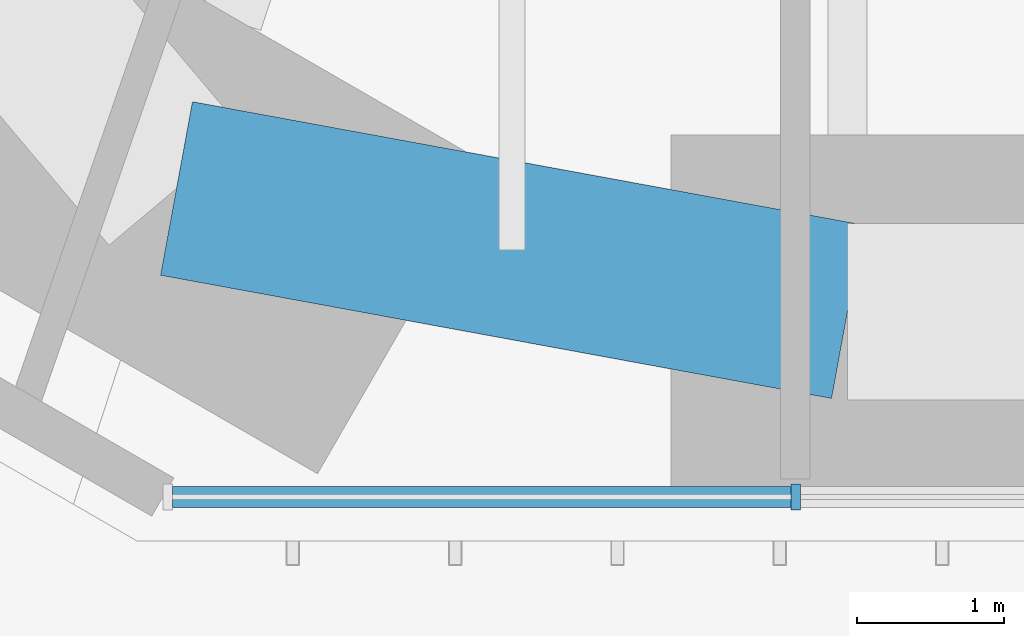
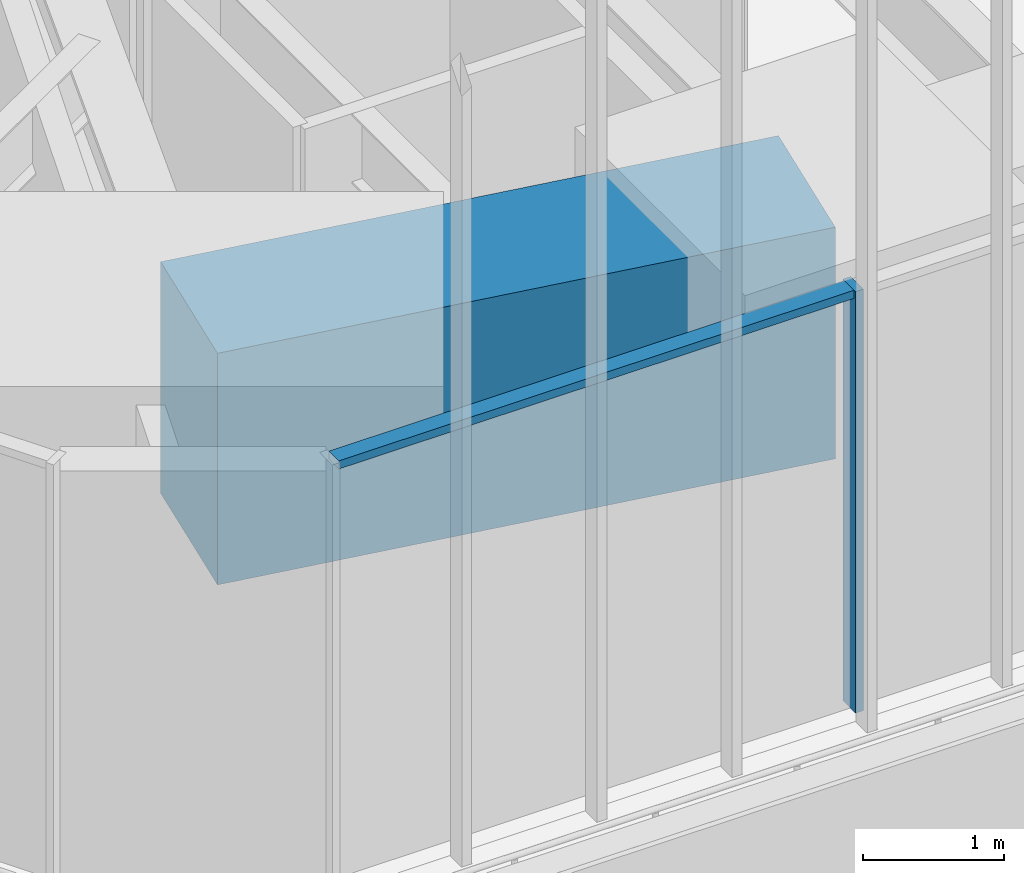
# One storey, part 23 of 238: 2 members, 1 beam, 1 element without a shape of its own.
"""IFC4 building model written with IfcOpenShell, lengths in metres."""

import ifcopenshell
import ifcopenshell.guid

model = None  # the IFC model being written
_history = None  # IfcOwnerHistory: only IFC2X3 demands one
_inside = {}  # id of a spatial element -> (the spatial element, [elements in it])
_under = {}  # id of a project, library or spatial element -> (it, [spatial elements below it])
_declared = {}  # id of a project -> (the project, [libraries it declares])
_typed = {}  # id of a type object -> (the type object, [elements of that type])
_made_of = {}  # id of a material, layer set ... -> (it, [elements and type objects made of it])


def new_model(schema):
    """Start an empty IFC model of exactly this schema.

    Asked for "IFC4X3", IfcOpenShell would pick the latest addendum, in which some entities
    have other attributes; the version numbers below select the first issue.
    IFC2X3 requires an IfcOwnerHistory on every rooted entity: one is made here for all.
    """
    global model, _history
    if schema == "IFC4X3":
        model = ifcopenshell.file(schema_version=(4, 3, 0, 0))
    else:
        model = ifcopenshell.file(schema=schema)
    _inside.clear()
    _under.clear()
    _declared.clear()
    _typed.clear()
    _made_of.clear()
    _history = None
    if model.schema == "IFC2X3":
        org = make("IfcOrganization", Name="unknown")
        user = make(
            "IfcPersonAndOrganization",
            ThePerson=make("IfcPerson", FamilyName="unknown"),
            TheOrganization=org,
        )
        app = make(
            "IfcApplication",
            ApplicationDeveloper=org,
            Version="unknown",
            ApplicationFullName="unknown",
            ApplicationIdentifier="unknown",
        )
        _history = make(
            "IfcOwnerHistory",
            OwningUser=user,
            OwningApplication=app,
            ChangeAction="ADDED",
            CreationDate=0,
        )
    return model


def make(cls, **values):
    """One entity of the class cls with the attributes given. An attribute that is None is left unset."""
    return model.create_entity(
        cls, **{name: value for name, value in values.items() if value is not None}
    )


def rooted(cls, **values):
    """An entity with a GlobalId (a new one), such as an element, a storey or a relation."""
    return make(cls, GlobalId=ifcopenshell.guid.new(), OwnerHistory=_history, **values)


def si_unit(unit_type, name, prefix=None):
    """IfcSIUnit, for example si_unit("LENGTHUNIT", "METRE", prefix="MILLI")."""
    return make("IfcSIUnit", UnitType=unit_type, Prefix=prefix, Name=name)


def assignment(units):
    """IfcUnitAssignment: the units of a project."""
    return None if units is None else make("IfcUnitAssignment", Units=units)


def point(xyz):
    """IfcCartesianPoint."""
    return None if xyz is None else make("IfcCartesianPoint", Coordinates=xyz)


def direction(xyz):
    """IfcDirection."""
    return None if xyz is None else make("IfcDirection", DirectionRatios=xyz)


def frame(location, z_axis=None, x_axis=None):
    """IfcAxis2Placement3D, a coordinate frame: its origin and axes. An axis left out is left unset."""
    return make(
        "IfcAxis2Placement3D",
        Location=point(location),
        Axis=direction(z_axis),
        RefDirection=direction(x_axis),
    )


def frame_2d(location, x_axis=None):
    """IfcAxis2Placement2D, a coordinate frame in the plane: its origin and x axis."""
    return make(
        "IfcAxis2Placement2D", Location=point(location), RefDirection=direction(x_axis)
    )


def origin():
    """The frame at (0, 0, 0) with its axes left unset."""
    return frame((0.0, 0.0, 0.0))


def origin_2d():
    """The frame at (0, 0) in the plane with its x axis left unset."""
    return frame_2d((0.0, 0.0))


def place(relative_to, where):
    """IfcLocalPlacement: puts the frame where relative to a parent placement (None: the world)."""
    return make(
        "IfcLocalPlacement", PlacementRelTo=relative_to, RelativePlacement=where
    )


def context(
    kind, dimensions, precision=None, world=None, true_north=None, identifier=None
):
    """IfcGeometricRepresentationContext, for example the 3D "Model" context."""
    return make(
        "IfcGeometricRepresentationContext",
        ContextIdentifier=identifier,
        ContextType=kind,
        CoordinateSpaceDimension=dimensions,
        Precision=precision,
        WorldCoordinateSystem=world,
        TrueNorth=true_north,
    )


def subcontext(parent, identifier, kind, view, scale=None):
    """IfcGeometricRepresentationSubContext, for example "Body" below "Model"."""
    return make(
        "IfcGeometricRepresentationSubContext",
        ContextIdentifier=identifier,
        ContextType=kind,
        ParentContext=parent,
        TargetScale=scale,
        TargetView=view,
    )


def project(units=None, contexts=None):
    """IfcProject with its units and contexts."""
    return rooted(
        "IfcProject",
        Name="project",
        RepresentationContexts=contexts,
        UnitsInContext=assignment(units),
    )


def spatial(cls, under=None, at=None, **own):
    """A site, building, storey or space (cls), placed at a placement, below another one or the project."""
    s = rooted(cls, ObjectPlacement=at, **own)
    if under is not None:
        _under.setdefault(under.id(), (under, []))[1].append(s)
    return s


def profile(cls, at=None, kind="AREA", **sizes):
    """A parametric profile (cls). Its sizes go by their IFC names, for example OverallWidth=200.0."""
    return make(cls, ProfileType=kind, Position=at, **sizes)


def rectangle(**sizes):
    """IfcRectangleProfileDef."""
    return profile("IfcRectangleProfileDef", **sizes)


def extrude(swept, where, along, depth):
    """IfcExtrudedAreaSolid: the profile swept, set in the frame where, extruded along a direction by depth."""
    return make(
        "IfcExtrudedAreaSolid",
        SweptArea=swept,
        Position=where,
        ExtrudedDirection=direction(along),
        Depth=depth,
    )


def shape(context_of_items, identifier, shape_type, items):
    """IfcShapeRepresentation: the items that make up one representation, for example the "Body"."""
    return make(
        "IfcShapeRepresentation",
        ContextOfItems=context_of_items,
        RepresentationIdentifier=identifier,
        RepresentationType=shape_type,
        Items=items,
    )


def material(Name=None, Category=None):
    """IfcMaterial."""
    return make("IfcMaterial", Name=Name, Category=Category)


def material_profile(
    of_material, cross_section, Name=None, Category=None, Priority=None
):
    """IfcMaterialProfile: a cross section and its material."""
    return make(
        "IfcMaterialProfile",
        Name=Name,
        Material=of_material,
        Profile=cross_section,
        Priority=Priority,
        Category=Category,
    )


def profile_set(profiles, Name=None, composite=None):
    """IfcMaterialProfileSet."""
    return make(
        "IfcMaterialProfileSet",
        Name=Name,
        MaterialProfiles=profiles,
        CompositeProfile=composite,
    )


def made_of(thing, what):
    """Note that an element or type object is made of a material, layer set ...; save() writes the relation."""
    if what is not None:
        _made_of.setdefault(what.id(), (what, []))[1].append(thing)
    return thing


def type_object(cls, material=None, **own):
    """A type object (cls), such as IfcWallType, which elements share."""
    return made_of(rooted(cls, **own), material)


def element(
    cls,
    number,
    at=None,
    inside=None,
    cuts=None,
    type_object=None,
    material=None,
    context=None,
    identifier="Body",
    shape_type=None,
    held_by="IfcProductDefinitionShape",
    body=None,
    shapes=None,
    **own,
):
    """One element of the class cls, such as IfcWall. Its Tag is "e" and its number.

    at: its placement. inside: the storey or other place that contains it. cuts: it is an
    opening in that element (IfcRelVoidsElement). A single representation is given by context,
    identifier, shape_type and body (its items); several are given by shapes. held_by: the class
    of the entity that holds the representations. save() writes the other relations.
    """
    e = rooted(cls, Tag="e%d" % number, ObjectPlacement=at, **own)
    if body is not None:
        shapes = [shape(context, identifier, shape_type, body)]
    if shapes is not None:
        e.Representation = make(held_by, Representations=shapes)
    if inside is not None:
        _inside.setdefault(inside.id(), (inside, []))[1].append(e)
    if cuts is not None:
        rooted(
            "IfcRelVoidsElement", RelatingBuildingElement=cuts, RelatedOpeningElement=e
        )
    if type_object is not None:
        _typed.setdefault(type_object.id(), (type_object, []))[1].append(e)
    return made_of(e, material)


def aggregate(whole, parts):
    """IfcRelAggregates: a whole, such as a stair, and the parts it consists of."""
    return rooted("IfcRelAggregates", RelatingObject=whole, RelatedObjects=parts)


def save(model, path):
    """Write the relations noted so far, then the file.

    IfcRelAggregates (storeys below a building ...), IfcRelContainedInSpatialStructure (elements
    in a storey), IfcRelDefinesByType, IfcRelAssociatesMaterial and IfcRelDeclares: one each for
    every whole, place, type object, material and project.
    """
    for whole, parts in _under.values():
        aggregate(whole, parts)
    for where, things in _inside.values():
        rooted(
            "IfcRelContainedInSpatialStructure",
            RelatedElements=things,
            RelatingStructure=where,
        )
    for kind, things in _typed.values():
        rooted("IfcRelDefinesByType", RelatedObjects=things, RelatingType=kind)
    for what, things in _made_of.values():
        rooted("IfcRelAssociatesMaterial", RelatedObjects=things, RelatingMaterial=what)
    for by, libraries in _declared.values():
        rooted("IfcRelDeclares", RelatingContext=by, RelatedDefinitions=libraries)
    model.write(path)


model = new_model("IFC4")

# Units and contexts
model_context = context("Model", 3, precision=1e-05, world=origin(), true_north=direction((0.0, 1.0)))
body_context = subcontext(model_context, "Body", "Model", "MODEL_VIEW")
ifc_project = project(units=[si_unit("LENGTHUNIT", "METRE"), si_unit("AREAUNIT", "SQUARE_METRE"), si_unit("VOLUMEUNIT", "CUBIC_METRE"), si_unit("PLANEANGLEUNIT", "RADIAN"), si_unit("MASSUNIT", "GRAM", prefix="KILO")], contexts=[model_context])

# Site, building, storey
site_placement = place(None, origin())
site = spatial("IfcSite", under=ifc_project, at=site_placement, CompositionType="ELEMENT")
building_placement = place(site_placement, origin())
building = spatial("IfcBuilding", under=site, at=building_placement, Name="Sandreach Pilgrim Tower", CompositionType="ELEMENT")
storey_placement = place(building_placement, frame((0.0, 0.0, 96.800048828125)))
storey = spatial("IfcBuildingStorey", under=building, at=storey_placement, Name="L23", CompositionType="ELEMENT", Elevation=96.800048828125)

# Curtain wall, members
ifc_material_1 = material(Name="Aluminium framed curtain wall", Category="aluminium")
curtain_wall_type = type_object("IfcCurtainWallType", Name="Hotel tower curtain wall", PredefinedType="NOTDEFINED", material=ifc_material_1)
curtain_wall_placement = place(storey_placement, origin())
curtain_wall = element("IfcCurtainWall", 1, at=curtain_wall_placement, inside=storey, type_object=curtain_wall_type, Name="CW-2 L23 SA", PredefinedType="NOTDEFINED")
ifc_material_2 = material(Name="Aluminium extrusion", Category="aluminium")
ifc_material_profile_1 = material_profile(ifc_material_2, rectangle(XDim=0.06494140625, YDim=0.179931640625, at=origin_2d()), Name="CW-2M 65X180")
ifc_profile_set_1 = profile_set([ifc_material_profile_1], Name="Aluminium extrusion")
member_type_1 = type_object("IfcMemberType", Name="CW-2 mullion", PredefinedType="MULLION", material=ifc_profile_set_1)
member_1_placement = place(storey_placement, frame((-4.3056640625, -28.192138671875, 0.0), z_axis=(0.0, 0.0, 1.0), x_axis=(-1.0, 0.0, 0.0)))
member_1 = element("IfcMember", 2, at=member_1_placement, type_object=member_type_1, Name="CW-2 mullion 3", PredefinedType="MULLION", context=body_context, shape_type="SweptSolid", body=[
    extrude(rectangle(XDim=0.06494140625, YDim=0.179931640625, at=origin_2d()), origin(), (0.0, 0.0, 1.0), 3.639892578125),
])
ifc_material_3 = material(Name="Aluminium extrusion", Category="aluminium")
ifc_material_profile_2 = material_profile(ifc_material_3, rectangle(XDim=0.139892578125, YDim=0.070068359375, at=origin_2d()), Name="CW-2T 140X70")
ifc_profile_set_2 = profile_set([ifc_material_profile_2], Name="Aluminium extrusion")
member_type_2 = type_object("IfcMemberType", Name="CW-2 transom", PredefinedType="USERDEFINED", material=ifc_profile_set_2)
member_2_placement = place(storey_placement, frame((-4.338134765625, -28.192138671875, 3.60498046875), z_axis=(-1.0, 0.0, 0.0), x_axis=(0.0, -1.0, 0.0)))
member_2 = element("IfcMember", 3, at=member_2_placement, type_object=member_type_2, Name="CW-2 head transom 3", ObjectType="TRANSOM", PredefinedType="USERDEFINED", context=body_context, shape_type="SweptSolid", body=[
    extrude(rectangle(XDim=0.139892578125, YDim=0.070068359375, at=origin_2d()), origin(), (0.0, 0.0, 1.0), 4.208251953125),
])
aggregate(curtain_wall, [member_1, member_2])

# Beam
ifc_material_4 = material(Name="Concrete 10000 psi", Category="concrete")
ifc_material_profile_3 = material_profile(ifc_material_4, rectangle(XDim=1.199951171875, YDim=2.0, at=origin_2d()), Name="RC1200X2000")
ifc_profile_set_3 = profile_set([ifc_material_profile_3], Name="Concrete 10000 psi")
beam_type = type_object("IfcBeamType", Name="Spandrel beam RC1200X2000", PredefinedType="SPANDREL", material=ifc_profile_set_3)
beam_placement = place(storey_placement, frame((-3.955322265625, -26.93212890625, 2.639892578125), z_axis=(-0.983551746136, 0.180626583516, 0.0), x_axis=(-0.180626583516, -0.983551746136, 0.0)))
element("IfcBeam", 4, at=beam_placement, inside=storey, type_object=beam_type, Name="BM L23 SP25", PredefinedType="SPANDREL", context=body_context, shape_type="SweptSolid", body=[
    extrude(rectangle(XDim=1.199951171875, YDim=2.0, at=origin_2d()), origin(), (0.0, 0.0, 1.0), 4.638916015625),
])

save(model, "model.ifc")
